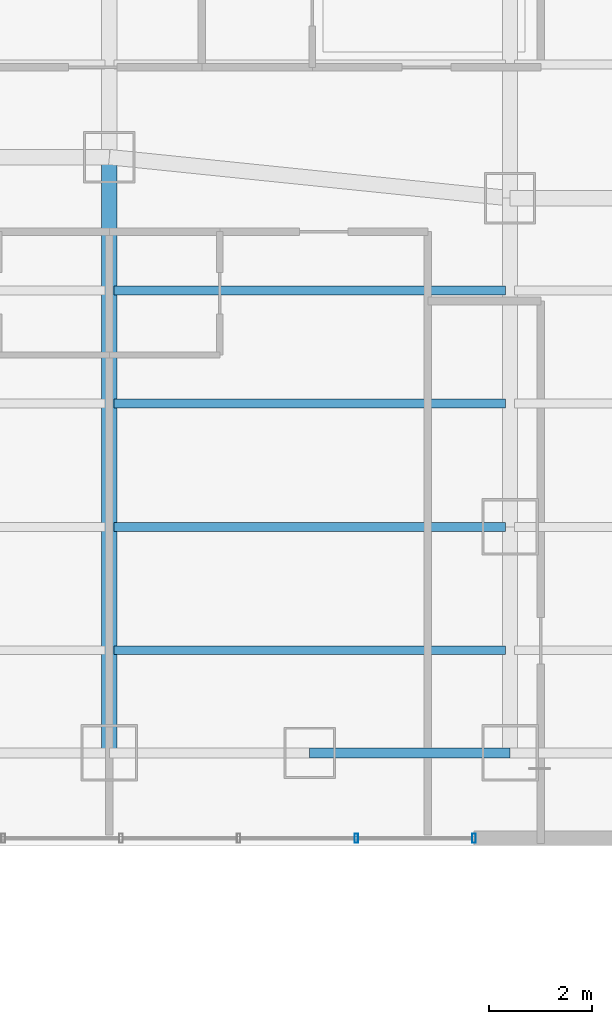
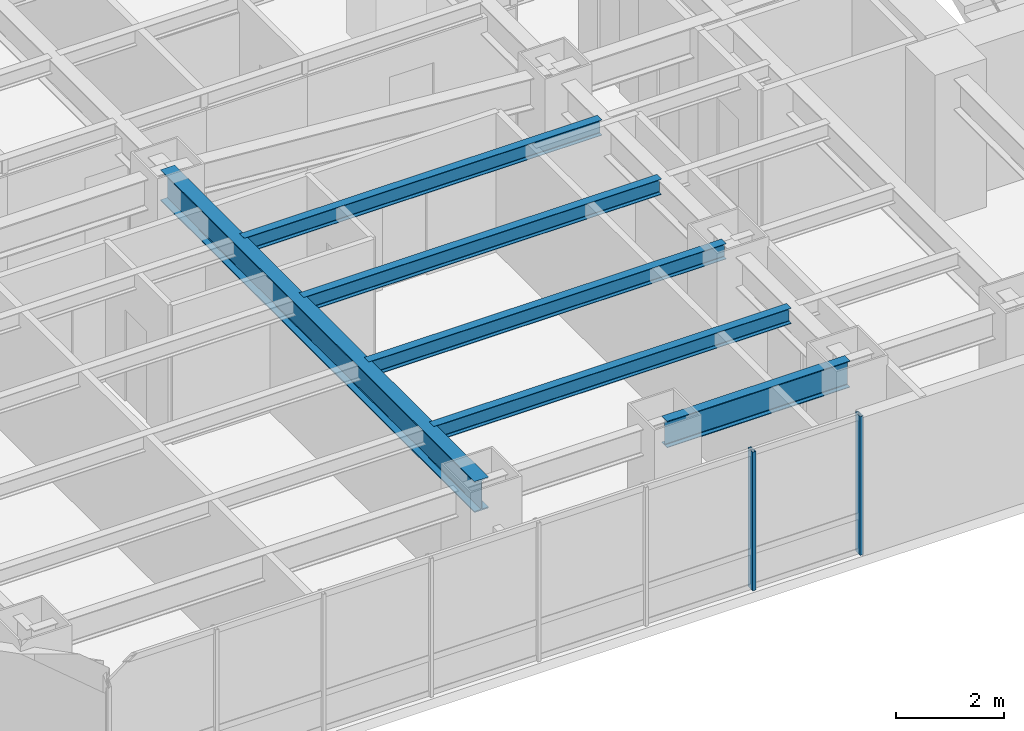
# One storey, part 6 of 37: 6 beams, 2 members, 1 element without a shape of its own.
"""IFC4 building model written with IfcOpenShell, lengths in metres."""

import ifcopenshell
import ifcopenshell.guid

model = None  # the IFC model being written
_history = None  # IfcOwnerHistory: only IFC2X3 demands one
_inside = {}  # id of a spatial element -> (the spatial element, [elements in it])
_under = {}  # id of a project, library or spatial element -> (it, [spatial elements below it])
_declared = {}  # id of a project -> (the project, [libraries it declares])
_typed = {}  # id of a type object -> (the type object, [elements of that type])
_made_of = {}  # id of a material, layer set ... -> (it, [elements and type objects made of it])


def new_model(schema):
    """Start an empty IFC model of exactly this schema.

    Asked for "IFC4X3", IfcOpenShell would pick the latest addendum, in which some entities
    have other attributes; the version numbers below select the first issue.
    IFC2X3 requires an IfcOwnerHistory on every rooted entity: one is made here for all.
    """
    global model, _history
    if schema == "IFC4X3":
        model = ifcopenshell.file(schema_version=(4, 3, 0, 0))
    else:
        model = ifcopenshell.file(schema=schema)
    _inside.clear()
    _under.clear()
    _declared.clear()
    _typed.clear()
    _made_of.clear()
    _history = None
    if model.schema == "IFC2X3":
        org = make("IfcOrganization", Name="unknown")
        user = make(
            "IfcPersonAndOrganization",
            ThePerson=make("IfcPerson", FamilyName="unknown"),
            TheOrganization=org,
        )
        app = make(
            "IfcApplication",
            ApplicationDeveloper=org,
            Version="unknown",
            ApplicationFullName="unknown",
            ApplicationIdentifier="unknown",
        )
        _history = make(
            "IfcOwnerHistory",
            OwningUser=user,
            OwningApplication=app,
            ChangeAction="ADDED",
            CreationDate=0,
        )
    return model


def make(cls, **values):
    """One entity of the class cls with the attributes given. An attribute that is None is left unset."""
    return model.create_entity(
        cls, **{name: value for name, value in values.items() if value is not None}
    )


def rooted(cls, **values):
    """An entity with a GlobalId (a new one), such as an element, a storey or a relation."""
    return make(cls, GlobalId=ifcopenshell.guid.new(), OwnerHistory=_history, **values)


def si_unit(unit_type, name, prefix=None):
    """IfcSIUnit, for example si_unit("LENGTHUNIT", "METRE", prefix="MILLI")."""
    return make("IfcSIUnit", UnitType=unit_type, Prefix=prefix, Name=name)


def assignment(units):
    """IfcUnitAssignment: the units of a project."""
    return None if units is None else make("IfcUnitAssignment", Units=units)


def point(xyz):
    """IfcCartesianPoint."""
    return None if xyz is None else make("IfcCartesianPoint", Coordinates=xyz)


def direction(xyz):
    """IfcDirection."""
    return None if xyz is None else make("IfcDirection", DirectionRatios=xyz)


def frame(location, z_axis=None, x_axis=None):
    """IfcAxis2Placement3D, a coordinate frame: its origin and axes. An axis left out is left unset."""
    return make(
        "IfcAxis2Placement3D",
        Location=point(location),
        Axis=direction(z_axis),
        RefDirection=direction(x_axis),
    )


def frame_2d(location, x_axis=None):
    """IfcAxis2Placement2D, a coordinate frame in the plane: its origin and x axis."""
    return make(
        "IfcAxis2Placement2D", Location=point(location), RefDirection=direction(x_axis)
    )


def origin():
    """The frame at (0, 0, 0) with its axes left unset."""
    return frame((0.0, 0.0, 0.0))


def origin_2d():
    """The frame at (0, 0) in the plane with its x axis left unset."""
    return frame_2d((0.0, 0.0))


def place(relative_to, where):
    """IfcLocalPlacement: puts the frame where relative to a parent placement (None: the world)."""
    return make(
        "IfcLocalPlacement", PlacementRelTo=relative_to, RelativePlacement=where
    )


def context(
    kind, dimensions, precision=None, world=None, true_north=None, identifier=None
):
    """IfcGeometricRepresentationContext, for example the 3D "Model" context."""
    return make(
        "IfcGeometricRepresentationContext",
        ContextIdentifier=identifier,
        ContextType=kind,
        CoordinateSpaceDimension=dimensions,
        Precision=precision,
        WorldCoordinateSystem=world,
        TrueNorth=true_north,
    )


def subcontext(parent, identifier, kind, view, scale=None):
    """IfcGeometricRepresentationSubContext, for example "Body" below "Model"."""
    return make(
        "IfcGeometricRepresentationSubContext",
        ContextIdentifier=identifier,
        ContextType=kind,
        ParentContext=parent,
        TargetScale=scale,
        TargetView=view,
    )


def project(units=None, contexts=None):
    """IfcProject with its units and contexts."""
    return rooted(
        "IfcProject",
        Name="project",
        RepresentationContexts=contexts,
        UnitsInContext=assignment(units),
    )


def spatial(cls, under=None, at=None, **own):
    """A site, building, storey or space (cls), placed at a placement, below another one or the project."""
    s = rooted(cls, ObjectPlacement=at, **own)
    if under is not None:
        _under.setdefault(under.id(), (under, []))[1].append(s)
    return s


def profile(cls, at=None, kind="AREA", **sizes):
    """A parametric profile (cls). Its sizes go by their IFC names, for example OverallWidth=200.0."""
    return make(cls, ProfileType=kind, Position=at, **sizes)


def hollow_rectangle(**sizes):
    """IfcRectangleHollowProfileDef."""
    return profile("IfcRectangleHollowProfileDef", **sizes)


def i_section(**sizes):
    """IfcIShapeProfileDef."""
    return profile("IfcIShapeProfileDef", **sizes)


def extrude(swept, where, along, depth):
    """IfcExtrudedAreaSolid: the profile swept, set in the frame where, extruded along a direction by depth."""
    return make(
        "IfcExtrudedAreaSolid",
        SweptArea=swept,
        Position=where,
        ExtrudedDirection=direction(along),
        Depth=depth,
    )


def shape(context_of_items, identifier, shape_type, items):
    """IfcShapeRepresentation: the items that make up one representation, for example the "Body"."""
    return make(
        "IfcShapeRepresentation",
        ContextOfItems=context_of_items,
        RepresentationIdentifier=identifier,
        RepresentationType=shape_type,
        Items=items,
    )


def material(Name=None, Category=None):
    """IfcMaterial."""
    return make("IfcMaterial", Name=Name, Category=Category)


def layer(
    of_material, thickness, ventilated=None, Name=None, Category=None, Priority=None
):
    """IfcMaterialLayer: one layer of a wall or slab, of a material (None: an air gap)."""
    return make(
        "IfcMaterialLayer",
        Material=of_material,
        LayerThickness=thickness,
        IsVentilated=ventilated,
        Name=Name,
        Category=Category,
        Priority=Priority,
    )


def layer_set(layers, Name=None):
    """IfcMaterialLayerSet."""
    return make("IfcMaterialLayerSet", MaterialLayers=layers, LayerSetName=Name)


def material_profile(
    of_material, cross_section, Name=None, Category=None, Priority=None
):
    """IfcMaterialProfile: a cross section and its material."""
    return make(
        "IfcMaterialProfile",
        Name=Name,
        Material=of_material,
        Profile=cross_section,
        Priority=Priority,
        Category=Category,
    )


def profile_set(profiles, Name=None, composite=None):
    """IfcMaterialProfileSet."""
    return make(
        "IfcMaterialProfileSet",
        Name=Name,
        MaterialProfiles=profiles,
        CompositeProfile=composite,
    )


def made_of(thing, what):
    """Note that an element or type object is made of a material, layer set ...; save() writes the relation."""
    if what is not None:
        _made_of.setdefault(what.id(), (what, []))[1].append(thing)
    return thing


def type_object(cls, material=None, **own):
    """A type object (cls), such as IfcWallType, which elements share."""
    return made_of(rooted(cls, **own), material)


def element(
    cls,
    number,
    at=None,
    inside=None,
    cuts=None,
    type_object=None,
    material=None,
    context=None,
    identifier="Body",
    shape_type=None,
    held_by="IfcProductDefinitionShape",
    body=None,
    shapes=None,
    **own,
):
    """One element of the class cls, such as IfcWall. Its Tag is "e" and its number.

    at: its placement. inside: the storey or other place that contains it. cuts: it is an
    opening in that element (IfcRelVoidsElement). A single representation is given by context,
    identifier, shape_type and body (its items); several are given by shapes. held_by: the class
    of the entity that holds the representations. save() writes the other relations.
    """
    e = rooted(cls, Tag="e%d" % number, ObjectPlacement=at, **own)
    if body is not None:
        shapes = [shape(context, identifier, shape_type, body)]
    if shapes is not None:
        e.Representation = make(held_by, Representations=shapes)
    if inside is not None:
        _inside.setdefault(inside.id(), (inside, []))[1].append(e)
    if cuts is not None:
        rooted(
            "IfcRelVoidsElement", RelatingBuildingElement=cuts, RelatedOpeningElement=e
        )
    if type_object is not None:
        _typed.setdefault(type_object.id(), (type_object, []))[1].append(e)
    return made_of(e, material)


def aggregate(whole, parts):
    """IfcRelAggregates: a whole, such as a stair, and the parts it consists of."""
    return rooted("IfcRelAggregates", RelatingObject=whole, RelatedObjects=parts)


def save(model, path):
    """Write the relations noted so far, then the file.

    IfcRelAggregates (storeys below a building ...), IfcRelContainedInSpatialStructure (elements
    in a storey), IfcRelDefinesByType, IfcRelAssociatesMaterial and IfcRelDeclares: one each for
    every whole, place, type object, material and project.
    """
    for whole, parts in _under.values():
        aggregate(whole, parts)
    for where, things in _inside.values():
        rooted(
            "IfcRelContainedInSpatialStructure",
            RelatedElements=things,
            RelatingStructure=where,
        )
    for kind, things in _typed.values():
        rooted("IfcRelDefinesByType", RelatedObjects=things, RelatingType=kind)
    for what, things in _made_of.values():
        rooted("IfcRelAssociatesMaterial", RelatedObjects=things, RelatingMaterial=what)
    for by, libraries in _declared.values():
        rooted("IfcRelDeclares", RelatingContext=by, RelatedDefinitions=libraries)
    model.write(path)


model = new_model("IFC4")

# Units and contexts
model_context = context("Model", 3, precision=1e-05, world=origin(), true_north=direction((0.0, 1.0)))
body_context = subcontext(model_context, "Body", "Model", "MODEL_VIEW")
ifc_project = project(units=[si_unit("LENGTHUNIT", "METRE"), si_unit("AREAUNIT", "SQUARE_METRE"), si_unit("VOLUMEUNIT", "CUBIC_METRE"), si_unit("PLANEANGLEUNIT", "RADIAN"), si_unit("MASSUNIT", "GRAM", prefix="KILO")], contexts=[model_context])

# Site, building, storey
site_placement = place(None, origin())
site = spatial("IfcSite", under=ifc_project, at=site_placement, CompositionType="ELEMENT")
building_placement = place(site_placement, origin())
building = spatial("IfcBuilding", under=site, at=building_placement, Name="Hatsunagi Terrace Concourse", CompositionType="ELEMENT")
storey_placement = place(building_placement, frame((0.0, 0.0, 50.0)))
storey = spatial("IfcBuildingStorey", under=building, at=storey_placement, Name="L12", CompositionType="ELEMENT", Elevation=50.0)

# Curtain wall, members
ifc_material_1 = material(Name="Anodised Aluminium Alloy 6063-T5", Category="aluminium")
ifc_layer = layer(ifc_material_1, 0.199951171875)
ifc_layer_set = layer_set([ifc_layer], Name="HotelFacade_CW02")
curtain_wall_type = type_object("IfcCurtainWallType", Name="HotelFacade_CW02", PredefinedType="NOTDEFINED", material=ifc_layer_set)
curtain_wall_placement = place(storey_placement, origin())
curtain_wall = element("IfcCurtainWall", 1, at=curtain_wall_placement, inside=storey, type_object=curtain_wall_type, Name="Unitised Curtain Wall CW-02 CW-L12-07", PredefinedType="NOTDEFINED")
ifc_material_2 = material(Name="Anodised Aluminium Alloy 6063-T5", Category="aluminium")
ifc_material_profile_1 = material_profile(ifc_material_2, hollow_rectangle(XDim=0.070068359375, YDim=0.179931640625, WallThickness=0.00390625, at=origin_2d()), Name="ALU-MUL-180x70x4")
ifc_profile_set_1 = profile_set([ifc_material_profile_1], Name="Anodised Aluminium Alloy 6063-T5")
member_type = type_object("IfcMemberType", Name="CurtainWallMullion_180x70", PredefinedType="MULLION", material=ifc_profile_set_1)
member_1_placement = place(storey_placement, frame((18.5, 23.5400390625, 0.0), z_axis=(0.0, 0.0, 1.0), x_axis=(-1.0, 0.0, 0.0)))
member_1 = element("IfcMember", 2, at=member_1_placement, type_object=member_type, Name="Curtain Wall Mullion MUL-02", PredefinedType="MULLION", context=body_context, shape_type="SweptSolid", body=[
    extrude(hollow_rectangle(XDim=0.070068359375, YDim=0.179931640625, WallThickness=0.00390625, at=origin_2d()), origin(), (0.0, 0.0, 1.0), 3.1298828125),
])
member_2_placement = place(storey_placement, frame((16.2080078125, 23.5400390625, 0.0), z_axis=(0.0, 0.0, 1.0), x_axis=(-1.0, 0.0, 0.0)))
member_2 = element("IfcMember", 3, at=member_2_placement, type_object=member_type, Name="Curtain Wall Mullion MUL-02", PredefinedType="MULLION", context=body_context, shape_type="SweptSolid", body=[
    extrude(hollow_rectangle(XDim=0.070068359375, YDim=0.179931640625, WallThickness=0.00390625, at=origin_2d()), origin(), (0.0, 0.0, 1.0), 3.1298828125),
])
aggregate(curtain_wall, [member_1, member_2])

# Beams
ifc_material_3 = material(Name="Steel SN490B", Category="steel")
ifc_material_profile_2 = material_profile(ifc_material_3, i_section(OverallWidth=0.300048828125, OverallDepth=0.699951171875, WebThickness=0.012939453125, FlangeThickness=0.02392578125, FilletRadius=0.02197265625, at=origin_2d()), Name="H-700x300x13x24")
ifc_profile_set_2 = profile_set([ifc_material_profile_2], Name="Steel SN490B")
beam_type_1 = type_object("IfcBeamType", Name="HotelFloorGirder_H_700x300", PredefinedType="BEAM", material=ifc_profile_set_2)
beam_1_placement = place(storey_placement, frame((11.39990234375, 25.199951171875, 2.780029296875), z_axis=(0.0, 1.0, 0.0), x_axis=(-1.0, 0.0, 0.0)))
element("IfcBeam", 4, at=beam_1_placement, inside=storey, type_object=beam_type_1, Name="Beam G-04 BM-L12-NS-11-25", PredefinedType="BEAM", context=body_context, shape_type="SweptSolid", body=[
    extrude(i_section(OverallWidth=0.300048828125, OverallDepth=0.699951171875, WebThickness=0.012939453125, FlangeThickness=0.02392578125, FilletRadius=0.02197265625, at=origin_2d()), origin(), (0.0, 0.0, 1.0), 11.60009765625),
])
ifc_material_4 = material(Name="Steel SN490B", Category="steel")
ifc_material_profile_3 = material_profile(ifc_material_4, i_section(OverallWidth=0.175048828125, OverallDepth=0.35009765625, WebThickness=0.007080078125, FlangeThickness=0.010986328125, FilletRadius=0.012939453125, at=origin_2d()), Name="H-350x175x7x11")
ifc_profile_set_3 = profile_set([ifc_material_profile_3], Name="Steel SN490B")
beam_type_2 = type_object("IfcBeamType", Name="HotelJoist_H_350x175", PredefinedType="JOIST", material=ifc_profile_set_3)
for number, where, z_axis, x_axis, name in (
    (5, (11.485107421875, 27.199951171875, 2.955078125), (1.0, 0.0, 0.0), (0.0, 1.0, 0.0), "Beam J-02 J-L12-W-11-272"),
    (6, (11.485107421875, 29.60009765625, 2.955078125), (1.0, 0.0, 0.0), (0.0, 1.0, 0.0), "Beam J-02 J-L12-W-11-296"),
    (7, (11.485107421875, 32.0, 2.955078125), (1.0, 0.0, 0.0), (0.0, 1.0, 0.0), "Beam J-02 J-L12-W-11-320"),
    (8, (11.485107421875, 34.199951171875, 2.955078125), (1.0, 0.0, 0.0), (0.0, 1.0, 0.0), "Beam J-02 J-L12-W-11-342"),
):
    element("IfcBeam", number, at=place(storey_placement, frame(where, z_axis=z_axis, x_axis=x_axis)), inside=storey, type_object=beam_type_2, Name=name, PredefinedType="JOIST", context=body_context, shape_type="SweptSolid", body=[
        extrude(i_section(OverallWidth=0.175048828125, OverallDepth=0.35009765625, WebThickness=0.007080078125, FlangeThickness=0.010986328125, FilletRadius=0.012939453125, at=origin_2d()), origin(), (0.0, 0.0, 1.0), 7.6298828125),
    ])
ifc_material_5 = material(Name="Steel SN490B", Category="steel")
ifc_material_profile_4 = material_profile(ifc_material_5, i_section(OverallWidth=0.199951171875, OverallDepth=0.60009765625, WebThickness=0.010986328125, FlangeThickness=0.01708984375, FilletRadius=0.01806640625, at=origin_2d()), Name="H-600x200x11x17")
ifc_profile_set_4 = profile_set([ifc_material_profile_4], Name="Steel SN490B")
beam_type_3 = type_object("IfcBeamType", Name="PerimeterSpandrel_H_600x200", PredefinedType="SPANDREL", material=ifc_profile_set_4)
beam_2_placement = place(storey_placement, frame((15.300048828125, 25.199951171875, 2.830078125), z_axis=(1.0, 0.0, 0.0), x_axis=(0.0, 1.0, 0.0)))
element("IfcBeam", 9, at=beam_2_placement, inside=storey, type_object=beam_type_3, Name="Beam SP-01 BM-L12-WS-15", PredefinedType="SPANDREL", context=body_context, shape_type="SweptSolid", body=[
    extrude(i_section(OverallWidth=0.199951171875, OverallDepth=0.60009765625, WebThickness=0.010986328125, FlangeThickness=0.01708984375, FilletRadius=0.01806640625, at=origin_2d()), origin(), (0.0, 0.0, 1.0), 3.89990234375),
])

save(model, "model.ifc")
